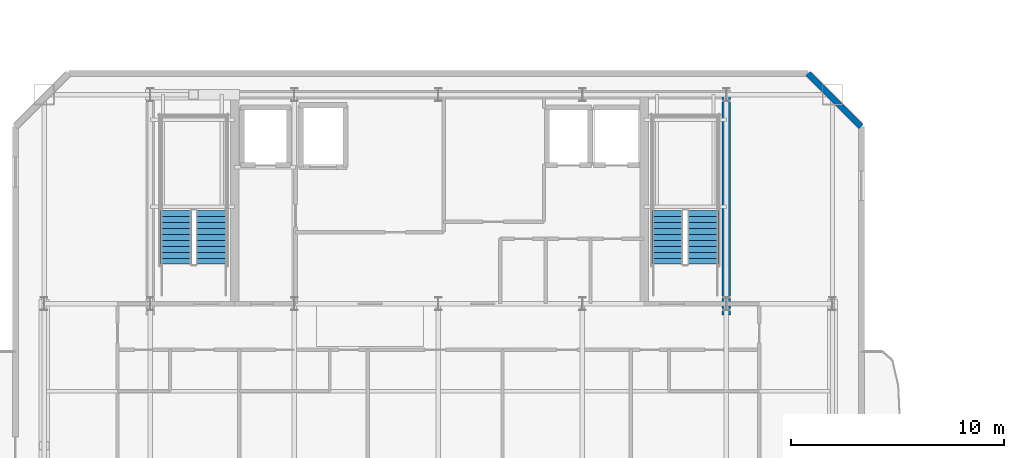
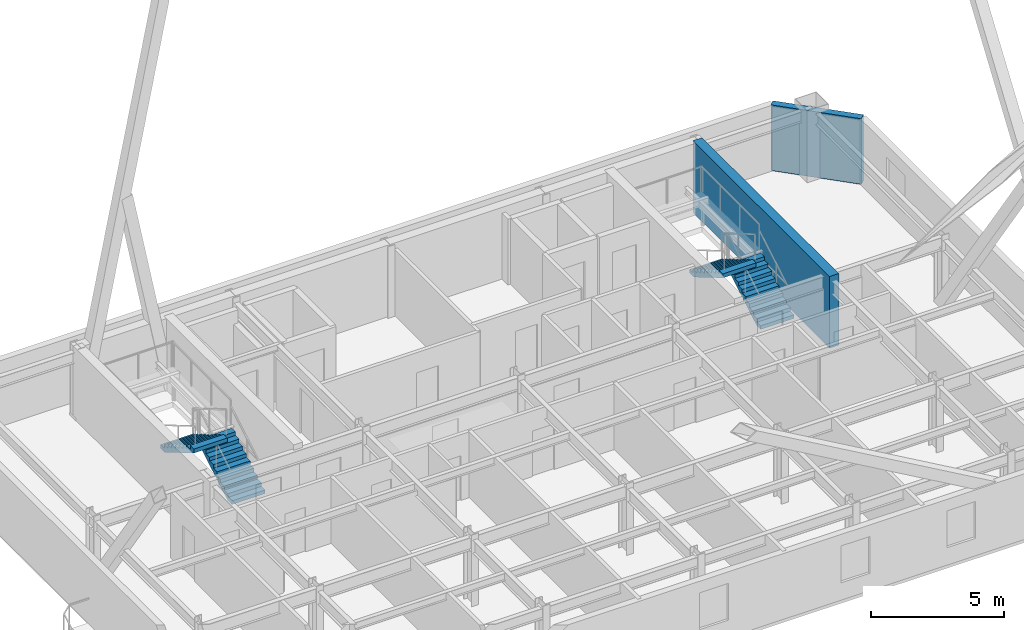
# One storey, part 5 of 9: 4 stair flights, 2 walls, 2 elements without a shape of their own.
"""IFC4 building model written with IfcOpenShell, lengths in metres."""

from ifc_helpers import new_model, si_unit, direction, frame, frame_2d, origin, place, context, subcontext, project, spatial, polyline, rectangle, outline, extrude, material, layer, layer_set, type_object, element, aggregate, save


model = new_model("IFC4")

# Units and contexts
model_context = context("Model", 3, precision=1e-05, world=origin(), true_north=direction((0.0, 1.0)))
body_context = subcontext(model_context, "Body", "Model", "MODEL_VIEW")
ifc_project = project(units=[si_unit("LENGTHUNIT", "METRE"), si_unit("AREAUNIT", "SQUARE_METRE"), si_unit("VOLUMEUNIT", "CUBIC_METRE"), si_unit("PLANEANGLEUNIT", "RADIAN"), si_unit("MASSUNIT", "GRAM", prefix="KILO")], contexts=[model_context])

# Site, building, storey
site_placement = place(None, origin())
site = spatial("IfcSite", under=ifc_project, at=site_placement, CompositionType="ELEMENT")
building_placement = place(site_placement, origin())
building = spatial("IfcBuilding", under=site, at=building_placement, Name="Haevon Station Towers", CompositionType="ELEMENT")
storey_placement = place(building_placement, frame((0.0, 0.0, 239.39990234375)))
storey = spatial("IfcBuildingStorey", under=building, at=storey_placement, Name="L66", CompositionType="ELEMENT", Elevation=239.39990234375)

# Walls
ifc_material_1 = material(Name="Concrete C60/75", Category="concrete")
ifc_layer_1 = layer(ifc_material_1, 0.39990234375)
ifc_layer_set_1 = layer_set([ifc_layer_1], Name="Concrete C60/75")
wall_type_1 = type_object("IfcWallType", Name="WL-CR400", PredefinedType="SHEAR", material=ifc_layer_set_1)
wall_1_placement = place(storey_placement, frame((51.0, 37.679931640625, 0.0), z_axis=(0.0, 0.0, 1.0), x_axis=(0.0, 1.0, 0.0)))
element("IfcWall", 1, at=wall_1_placement, inside=storey, type_object=wall_type_1, Name="WL-T1CR-L66-E", PredefinedType="SHEAR", context=body_context, shape_type="SweptSolid", body=[
    extrude(rectangle(XDim=10.320068359375, YDim=0.39990234375, at=frame_2d((5.16015625, 0.0))), origin(), (0.0, 0.0, 1.0), 3.300048828125),
])
ifc_material_2 = material(Name="Precast concrete C45/55", Category="concrete")
ifc_layer_2 = layer(ifc_material_2, 0.280029296875)
ifc_layer_set_2 = layer_set([ifc_layer_2], Name="Precast concrete C45/55")
wall_type_2 = type_object("IfcWallType", Name="WL-EXT-PIER280", PredefinedType="SOLIDWALL", material=ifc_layer_set_2)
wall_2_placement = place(storey_placement, frame((54.824951171875, 49.0, 0.0), z_axis=(0.0, 0.0, 1.0), x_axis=(0.707106781187, -0.707106781187, 0.0)))
element("IfcWall", 2, at=wall_2_placement, inside=storey, type_object=wall_type_2, Name="WL-T1-L66-NEC", PredefinedType="SOLIDWALL", context=body_context, shape_type="SweptSolid", body=[
    extrude(rectangle(XDim=3.53564453125, YDim=0.280029296875, at=frame_2d((1.767822265625, 0.0))), origin(), (0.0, 0.0, 1.0), 3.030029296875),
])

# Stair, stair flights
ifc_material_3 = material(Name="Concrete C40/50", Category="concrete")
stair_type = type_object("IfcStairType", Name="STR-DL1450", PredefinedType="USERDEFINED", material=ifc_material_3)
stair_1_placement = place(storey_placement, origin())
stair_1 = element("IfcStair", 3, at=stair_1_placement, inside=storey, type_object=stair_type, Name="L66 Escape Stair ST1", ObjectType="TWO_RETURN_STAIR", PredefinedType="USERDEFINED")
stair_flight_type = type_object("IfcStairFlightType", Name="STF-ST1450", PredefinedType="STRAIGHT", material=ifc_material_3)
stair_flight_1_placement = place(storey_placement, frame((26.85498046875, 40.050048828125, 0.0), z_axis=(0.0, 0.0, 1.0), x_axis=(0.0, 1.0, 0.0)))
stair_flight_1 = element("IfcStairFlight", 4, at=stair_flight_1_placement, type_object=stair_flight_type, Name="L66 ST1 Flight 1", NumberOfRisers=10, NumberOfTreads=9, PredefinedType="STRAIGHT", RiserHeight=0.165, TreadLength=0.28, context=body_context, shape_type="SweptSolid", body=[
    extrude(outline(polyline([(0.0, 0.0), (0.0, 0.1650390625), (0.280029296875, 0.1650390625), (0.280029296875, 0.330078125), (0.56005859375, 0.330078125), (0.56005859375, 0.4951171875), (0.840087890625, 0.4951171875), (0.840087890625, 0.659912109375), (1.1201171875, 0.659912109375), (1.1201171875, 0.824951171875), (1.39990234375, 0.824951171875), (1.39990234375, 0.989990234375), (1.679931640625, 0.989990234375), (1.679931640625, 1.155029296875), (1.9599609375, 1.155029296875), (1.9599609375, 1.320068359375), (2.239990234375, 1.320068359375), (2.239990234375, 1.485107421875), (2.52001953125, 1.485107421875), (2.52001953125, 1.64990234375), (2.52001953125, 1.29931640625), (0.31494140625, 0.0), (0.0, 0.0)])), frame((0.0, 0.72509765625, 0.0), z_axis=(0.0, -1.0, 0.0), x_axis=(1.0, 0.0, 0.0)), (0.0, 0.0, 1.0), 1.449951171875),
])
stair_flight_2_placement = place(storey_placement, frame((25.205078125, 42.570068359375, 1.650146484375), z_axis=(0.0, 0.0, 1.0), x_axis=(0.0, -1.0, 0.0)))
stair_flight_2 = element("IfcStairFlight", 5, at=stair_flight_2_placement, type_object=stair_flight_type, Name="L66 ST1 Flight 2", NumberOfRisers=10, NumberOfTreads=9, PredefinedType="STRAIGHT", RiserHeight=0.165, TreadLength=0.28, context=body_context, shape_type="SweptSolid", body=[
    extrude(outline(polyline([(0.0, 0.0), (0.0, 0.1650390625), (0.280029296875, 0.1650390625), (0.280029296875, 0.330078125), (0.56005859375, 0.330078125), (0.56005859375, 0.4951171875), (0.840087890625, 0.4951171875), (0.840087890625, 0.659912109375), (1.1201171875, 0.659912109375), (1.1201171875, 0.824951171875), (1.39990234375, 0.824951171875), (1.39990234375, 0.989990234375), (1.679931640625, 0.989990234375), (1.679931640625, 1.155029296875), (1.9599609375, 1.155029296875), (1.9599609375, 1.320068359375), (2.239990234375, 1.320068359375), (2.239990234375, 1.485107421875), (2.52001953125, 1.485107421875), (2.52001953125, 1.64990234375), (2.52001953125, 1.29931640625), (0.31494140625, 0.0), (0.0, 0.0)])), frame((0.0, 0.72509765625, 0.0), z_axis=(0.0, -1.0, 0.0), x_axis=(1.0, 0.0, 0.0)), (0.0, 0.0, 1.0), 1.449951171875),
])
aggregate(stair_1, [stair_flight_1, stair_flight_2])

stair_2_placement = place(storey_placement, origin())
stair_2 = element("IfcStair", 6, at=stair_2_placement, inside=storey, type_object=stair_type, Name="L66 Escape Stair ST2", ObjectType="TWO_RETURN_STAIR", PredefinedType="USERDEFINED")
stair_flight_3_placement = place(storey_placement, frame((49.89501953125, 40.050048828125, 0.0), z_axis=(0.0, 0.0, 1.0), x_axis=(0.0, 1.0, 0.0)))
stair_flight_3 = element("IfcStairFlight", 7, at=stair_flight_3_placement, type_object=stair_flight_type, Name="L66 ST2 Flight 1", NumberOfRisers=10, NumberOfTreads=9, PredefinedType="STRAIGHT", RiserHeight=0.165, TreadLength=0.28, context=body_context, shape_type="SweptSolid", body=[
    extrude(outline(polyline([(0.0, 0.0), (0.0, 0.1650390625), (0.280029296875, 0.1650390625), (0.280029296875, 0.330078125), (0.56005859375, 0.330078125), (0.56005859375, 0.4951171875), (0.840087890625, 0.4951171875), (0.840087890625, 0.659912109375), (1.1201171875, 0.659912109375), (1.1201171875, 0.824951171875), (1.39990234375, 0.824951171875), (1.39990234375, 0.989990234375), (1.679931640625, 0.989990234375), (1.679931640625, 1.155029296875), (1.9599609375, 1.155029296875), (1.9599609375, 1.320068359375), (2.239990234375, 1.320068359375), (2.239990234375, 1.485107421875), (2.52001953125, 1.485107421875), (2.52001953125, 1.64990234375), (2.52001953125, 1.29931640625), (0.31494140625, 0.0), (0.0, 0.0)])), frame((0.0, 0.72509765625, 0.0), z_axis=(0.0, -1.0, 0.0), x_axis=(1.0, 0.0, 0.0)), (0.0, 0.0, 1.0), 1.449951171875),
])
stair_flight_4_placement = place(storey_placement, frame((48.2451171875, 42.570068359375, 1.650146484375), z_axis=(0.0, 0.0, 1.0), x_axis=(0.0, -1.0, 0.0)))
stair_flight_4 = element("IfcStairFlight", 8, at=stair_flight_4_placement, type_object=stair_flight_type, Name="L66 ST2 Flight 2", NumberOfRisers=10, NumberOfTreads=9, PredefinedType="STRAIGHT", RiserHeight=0.165, TreadLength=0.28, context=body_context, shape_type="SweptSolid", body=[
    extrude(outline(polyline([(0.0, 0.0), (0.0, 0.1650390625), (0.280029296875, 0.1650390625), (0.280029296875, 0.330078125), (0.56005859375, 0.330078125), (0.56005859375, 0.4951171875), (0.840087890625, 0.4951171875), (0.840087890625, 0.659912109375), (1.1201171875, 0.659912109375), (1.1201171875, 0.824951171875), (1.39990234375, 0.824951171875), (1.39990234375, 0.989990234375), (1.679931640625, 0.989990234375), (1.679931640625, 1.155029296875), (1.9599609375, 1.155029296875), (1.9599609375, 1.320068359375), (2.239990234375, 1.320068359375), (2.239990234375, 1.485107421875), (2.52001953125, 1.485107421875), (2.52001953125, 1.64990234375), (2.52001953125, 1.29931640625), (0.31494140625, 0.0), (0.0, 0.0)])), frame((0.0, 0.72509765625, 0.0), z_axis=(0.0, -1.0, 0.0), x_axis=(1.0, 0.0, 0.0)), (0.0, 0.0, 1.0), 1.449951171875),
])
aggregate(stair_2, [stair_flight_3, stair_flight_4])

save(model, "model.ifc")
